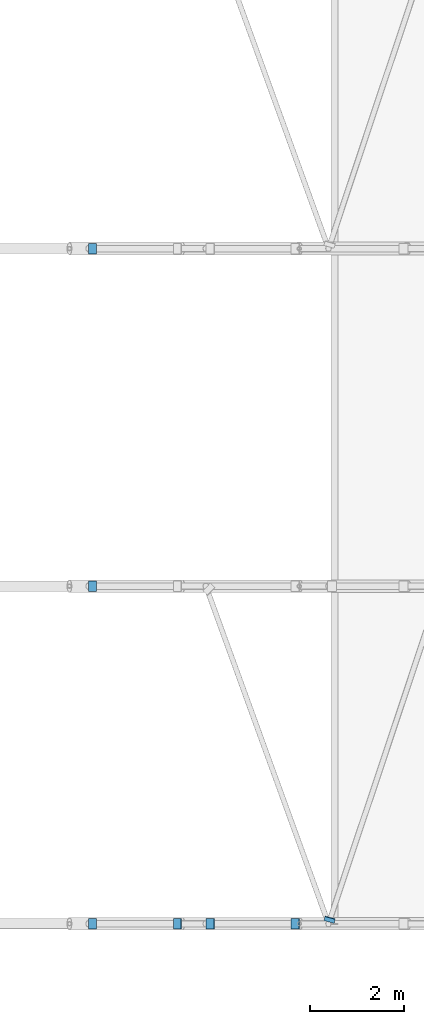
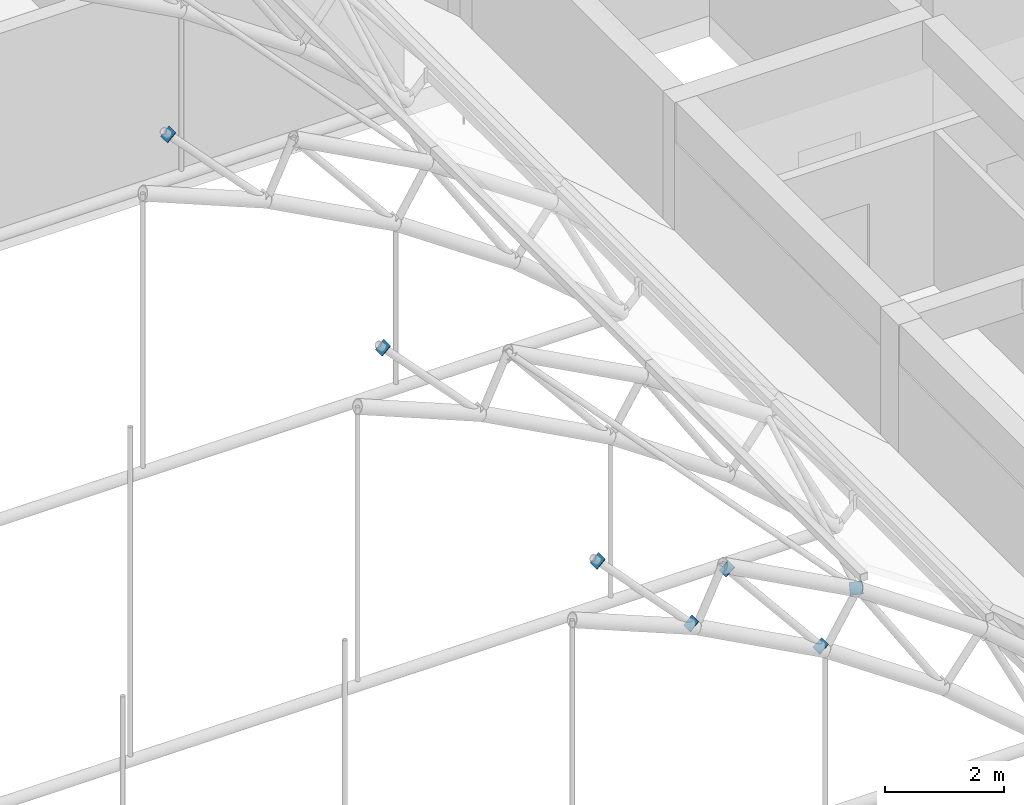
# One storey, part 85 of 101: 7 discrete accessories.
"""IFC4 building model written with IfcOpenShell, lengths in metres."""

from ifc_helpers import new_model, si_unit, direction, frame, origin, origin_2d, place, context, subcontext, project, spatial, rectangle, extrude, material, material_profile, profile_set, type_object, element, save


model = new_model("IFC4")

# Units and contexts
model_context = context("Model", 3, precision=1e-05, world=origin(), true_north=direction((0.0, 1.0)))
body_context = subcontext(model_context, "Body", "Model", "MODEL_VIEW")
ifc_project = project(units=[si_unit("LENGTHUNIT", "METRE"), si_unit("AREAUNIT", "SQUARE_METRE"), si_unit("VOLUMEUNIT", "CUBIC_METRE"), si_unit("PLANEANGLEUNIT", "RADIAN"), si_unit("MASSUNIT", "GRAM", prefix="KILO")], contexts=[model_context])

# Site, building, storey
site_placement = place(None, origin())
site = spatial("IfcSite", under=ifc_project, at=site_placement, CompositionType="ELEMENT")
building_placement = place(site_placement, origin())
building = spatial("IfcBuilding", under=site, at=building_placement, Name="Laocheng Heights Fire and Rescue Headquarters", CompositionType="ELEMENT")
storey_placement = place(building_placement, frame((0.0, 0.0, 8.39990234375)))
storey = spatial("IfcBuildingStorey", under=building, at=storey_placement, Name="L02", CompositionType="ELEMENT", Elevation=8.39990234375)

# Discrete accessories
ifc_material_1 = material(Name="Steel Q355B, dark grey painted", Category="steel")
ifc_material_profile_1 = material_profile(ifc_material_1, rectangle(XDim=0.22509765625, YDim=0.22509765625, at=origin_2d()), Name="GUSSET PLATE 225 x 225 x 12 FOR BAY ROOF DIAG CHS 139.7x6")
ifc_profile_set_1 = profile_set([ifc_material_profile_1], Name="Steel Q355B, dark grey painted")
discrete_accessory_type_1 = type_object("IfcDiscreteAccessoryType", Name="GUSSET PLATE 225 x 225 x 12 FOR BAY ROOF DIAG CHS 139.7x6", PredefinedType="BRACKET", material=ifc_profile_set_1)
discrete_accessory_1_placement = place(storey_placement, frame((47.008056640625, 0.0, 4.819580078125), z_axis=(-0.696785684263, 0.0, 0.717279380859), x_axis=(0.0, -1.0, 0.0)))
element("IfcDiscreteAccessory", 1, at=discrete_accessory_1_placement, inside=storey, type_object=discrete_accessory_type_1, Name="End plate at TR1-DG13 end 1", PredefinedType="BRACKET", context=body_context, shape_type="SweptSolid", body=[
    extrude(rectangle(XDim=0.22509765625, YDim=0.22509765625, at=origin_2d()), origin(), (0.0, 0.0, 1.0), 0.011962890625),
])
discrete_accessory_2_placement = place(storey_placement, frame((45.2001953125, 0.0, 6.73291015625), z_axis=(-0.686623532964, 0.0, 0.72701315255), x_axis=(0.0, -1.0, 0.0)))
element("IfcDiscreteAccessory", 2, at=discrete_accessory_2_placement, inside=storey, type_object=discrete_accessory_type_1, Name="End plate at TR1-DG13 end 2", PredefinedType="BRACKET", context=body_context, shape_type="SweptSolid", body=[
    extrude(rectangle(XDim=0.22509765625, YDim=0.22509765625, at=origin_2d()), origin(), (0.0, 0.0, 1.0), 0.01220703125),
])
for number, where, z_axis, x_axis, name in (
    (3, (49.51513671875, 0.0, 3.480712890625), (-0.632126727472, 0.0, 0.774865020772), (0.0, -1.0, 0.0), "End plate at TR1-DG14 end 1"),
    (4, (47.702392578125, 0.0, 5.695068359375), (-0.632126727472, 0.0, 0.774865020772), (0.0, -1.0, 0.0), "End plate at TR1-DG14 end 2"),
):
    element("IfcDiscreteAccessory", number, at=place(storey_placement, frame(where, z_axis=z_axis, x_axis=x_axis)), inside=storey, type_object=discrete_accessory_type_1, Name=name, PredefinedType="BRACKET", context=body_context, shape_type="SweptSolid", body=[
        extrude(rectangle(XDim=0.22509765625, YDim=0.22509765625, at=origin_2d()), origin(), (0.0, 0.0, 1.0), 0.011962890625),
    ])
for number, where, z_axis, x_axis, name in (
    (5, (45.2001953125, 7.199951171875, 6.73291015625), (-0.686623532964, 0.0, 0.72701315255), (0.0, -1.0, 0.0), "End plate at TR2-DG13 end 2"),
    (6, (45.2001953125, 14.39990234375, 6.73291015625), (-0.686623532964, 0.0, 0.72701315255), (0.0, -1.0, 0.0), "End plate at TR3-DG13 end 2"),
):
    element("IfcDiscreteAccessory", number, at=place(storey_placement, frame(where, z_axis=z_axis, x_axis=x_axis)), inside=storey, type_object=discrete_accessory_type_1, Name=name, PredefinedType="BRACKET", context=body_context, shape_type="SweptSolid", body=[
        extrude(rectangle(XDim=0.22509765625, YDim=0.22509765625, at=origin_2d()), origin(), (0.0, 0.0, 1.0), 0.01220703125),
    ])
ifc_material_2 = material(Name="Steel Q355B, dark grey painted", Category="steel")
ifc_material_profile_2 = material_profile(ifc_material_2, rectangle(XDim=0.22509765625, YDim=0.22509765625, at=origin_2d()), Name="NODE PLATE 225 x 225 x 12 FOR BAY ROOF BRACE CHS 114.3x5")
ifc_profile_set_2 = profile_set([ifc_material_profile_2], Name="Steel Q355B, dark grey painted")
discrete_accessory_type_2 = type_object("IfcDiscreteAccessoryType", Name="NODE PLATE 225 x 225 x 12 FOR BAY ROOF BRACE CHS 114.3x5", PredefinedType="BRACKET", material=ifc_profile_set_2)
discrete_accessory_3_placement = place(storey_placement, frame((50.24755859375, 0.0810546875, 4.36279296875), z_axis=(0.240965798671, 0.883541261793, -0.401609664451), x_axis=(-0.964763821238, 0.263117405792, 0.0)))
element("IfcDiscreteAccessory", 7, at=discrete_accessory_3_placement, inside=storey, type_object=discrete_accessory_type_2, Name="Node plate at BR14 end 1, BR15 end 1, TR1-DG15 end 2", PredefinedType="BRACKET", context=body_context, shape_type="SweptSolid", body=[
    extrude(rectangle(XDim=0.22509765625, YDim=0.22509765625, at=origin_2d()), origin(), (0.0, 0.0, 1.0), 0.01220703125),
])

save(model, "model.ifc")
